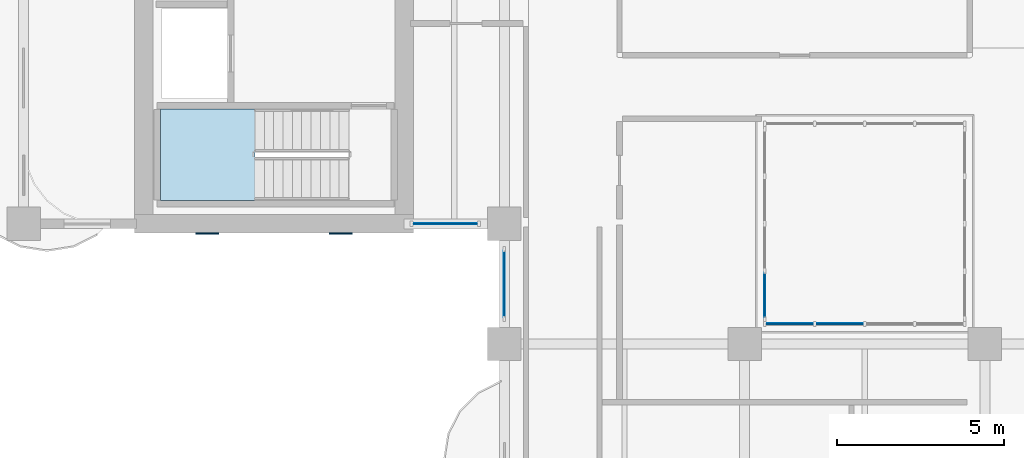
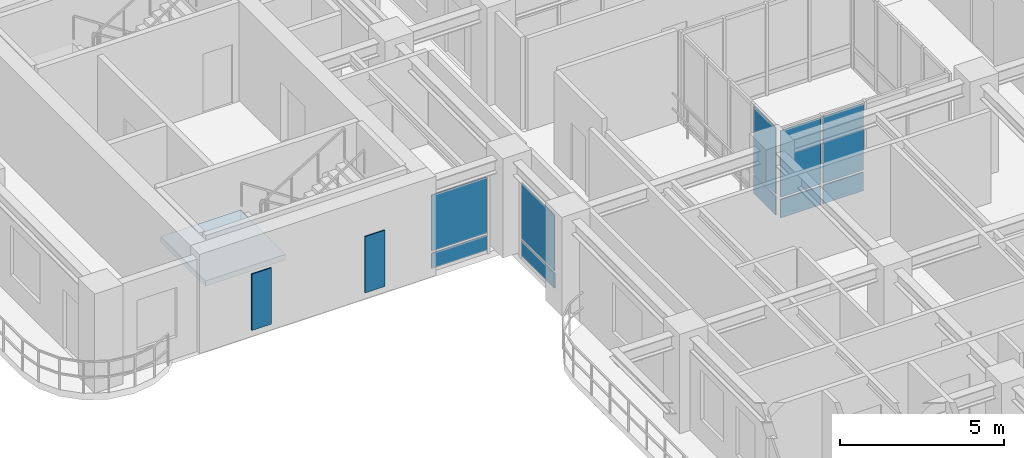
# One storey, part 8 of 19: 12 plates, 1 slab, 5 elements without a shape of their own.
"""IFC4 building model written with IfcOpenShell, lengths in metres."""

from ifc_helpers import new_model, si_unit, derived_unit, direction, frame, origin, origin_2d, place, context, subcontext, project, spatial, polyline, rectangle, outline, extrude, source, transform, mapped, material, layer, layer_set, type_object, type_shapes, element, aggregate, save


model = new_model("IFC4")

# Units and contexts
model_context = context("Model", 3, precision=1e-05, world=origin(), true_north=direction((0.0, 1.0)))
body_context = subcontext(model_context, "Body", "Model", "MODEL_VIEW")
ifc_project = project(units=[si_unit("LENGTHUNIT", "METRE"), si_unit("AREAUNIT", "SQUARE_METRE"), si_unit("VOLUMEUNIT", "CUBIC_METRE"), si_unit("PLANEANGLEUNIT", "RADIAN"), si_unit("MASSUNIT", "GRAM", prefix="KILO"), si_unit("THERMODYNAMICTEMPERATUREUNIT", "KELVIN"), si_unit("POWERUNIT", "WATT"), derived_unit("THERMALTRANSMITTANCEUNIT", [(si_unit("POWERUNIT", "WATT"), 1), (si_unit("AREAUNIT", "SQUARE_METRE"), -1), (si_unit("THERMODYNAMICTEMPERATUREUNIT", "KELVIN"), -1)])], contexts=[model_context])

# Site, building, storey
site_placement = place(None, origin())
site = spatial("IfcSite", under=ifc_project, at=site_placement, CompositionType="ELEMENT")
building_placement = place(site_placement, origin())
building = spatial("IfcBuilding", under=site, at=building_placement, Name="Zahravan Archway Hotel and Residences", CompositionType="ELEMENT")
storey_placement = place(building_placement, frame((0.0, 0.0, 134.0)))
storey = spatial("IfcBuildingStorey", under=building, at=storey_placement, Name="L33", CompositionType="ELEMENT", Elevation=134.0)

# Stair, slab
ifc_material_1 = material(Name="Concrete C50/60", Category="concrete")
stair_type = type_object("IfcStairType", Name="STR-CORE-1300", PredefinedType="HALF_TURN_STAIR", material=ifc_material_1)
stair_placement = place(storey_placement, origin())
stair = element("IfcStair", 1, at=stair_placement, inside=storey, type_object=stair_type, Name="L33 Core B Exit Stair 1", PredefinedType="HALF_TURN_STAIR")
ifc_layer_1 = layer(ifc_material_1, 0.199951171875, Name="Concrete C50/60", Category="concrete")
ifc_layer_set_1 = layer_set([ifc_layer_1], Name="Concrete C50/60")
slab_type = type_object("IfcSlabType", Name="SLB-LND-200", PredefinedType="LANDING", material=ifc_layer_set_1)
slab_placement = place(storey_placement, frame((0.0, 0.0, 1.64990234375)))
slab = element("IfcSlab", 2, at=slab_placement, type_object=slab_type, Name="ST-B1 landing 1", PredefinedType="LANDING", context=body_context, shape_type="SweptSolid", body=[
    extrude(outline(polyline([(6.929931640625, 28.639892578125), (4.10009765625, 28.639892578125), (4.10009765625, 25.89990234375), (6.929931640625, 25.89990234375), (6.929931640625, 28.639892578125)])), origin(), (0.0, 0.0, 1.0), 0.2001953125),
])
aggregate(stair, [slab])

# Plates
ifc_material_2 = material(Name="Perforated Cast Bronze Jali Lattice")
ifc_layer_2 = layer(ifc_material_2, 0.044921875, Name="Perforated Cast Bronze Jali Lattice")
ifc_layer_set_2 = layer_set([ifc_layer_2], Name="Perforated Cast Bronze Jali Lattice")
plate_type_1 = type_object("IfcPlateType", Name="PLT-JALI-BAY", PredefinedType="USERDEFINED", material=ifc_layer_set_2)
shared_shape_1 = source(origin(), body_context, "Body", "SweptSolid", [
    extrude(rectangle(XDim=0.699951171875, YDim=0.044921875, at=origin_2d()), origin(), (0.0, 0.0, 1.0), 2.10009765625),
])
type_shapes(plate_type_1, [shared_shape_1])
for number, where, z_axis, x_axis, name in (
    (3, (5.5, 24.906982421875, 0.25), (0.0, 0.0, 1.0), (1.0, 0.0, 0.0), "L33 Core B South Mughal Jali Screen 1"),
    (4, (9.5, 24.906982421875, 0.25), (0.0, 0.0, 1.0), (1.0, 0.0, 0.0), "L33 Core B South Mughal Jali Screen 2"),
):
    element("IfcPlate", number, at=place(storey_placement, frame(where, z_axis=z_axis, x_axis=x_axis)), inside=storey, type_object=plate_type_1, Name=name, ObjectType="SCREEN", PredefinedType="USERDEFINED", context=body_context, shape_type="MappedRepresentation", body=[
        mapped(shared_shape_1, transform((0.0, 0.0, 0.0), scale=1.0)),
    ])

# Curtain wall, plates
ifc_material_3 = material(Name="Bronze-Anodized Unitised Aluminium & Low-E Glass", Category="aluminium")
ifc_layer_3 = layer(ifc_material_3, 0.179931640625, Name="Bronze-Anodized Unitised Aluminium & Low-E Glass", Category="aluminium")
ifc_layer_set_3 = layer_set([ifc_layer_3], Name="Bronze-Anodized Unitised Aluminium & Low-E Glass")
curtain_wall_type = type_object("IfcCurtainWallType", Name="CW-ATR-GLAZ", PredefinedType="NOTDEFINED", material=ifc_layer_set_3)
curtain_wall_1_placement = place(storey_placement, origin())
curtain_wall_1 = element("IfcCurtainWall", 5, at=curtain_wall_1_placement, inside=storey, type_object=curtain_wall_type, Name="L33 Curtain Wall CW-ATR-L33-S-1", PredefinedType="NOTDEFINED")
ifc_material_4 = material(Name="Insulated Terracotta Spandrel Panel", Category="masonry")
ifc_layer_4 = layer(ifc_material_4, 0.0400390625, Name="Insulated Terracotta Spandrel Panel", Category="masonry")
ifc_layer_set_4 = layer_set([ifc_layer_4], Name="Insulated Terracotta Spandrel Panel")
plate_type_2 = type_object("IfcPlateType", Name="CWP-SPN-40", PredefinedType="SHEET", material=ifc_layer_set_4)
shared_shape_2 = source(origin(), body_context, "Body", "SweptSolid", [
    extrude(rectangle(XDim=1.419921875, YDim=0.0400390625, at=origin_2d()), origin(), (0.0, 0.0, 1.0), 0.68798828125),
])
plate_1_placement = place(storey_placement, frame((22.949951171875, 22.199951171875, 0.10009765625), z_axis=(0.0, 0.0, 1.0), x_axis=(1.0, 0.0, 0.0)))
plate_1 = element("IfcPlate", 6, at=plate_1_placement, type_object=plate_type_2, Name="CW-ATR-L33-S-1 Spandrel Panel 0", PredefinedType="SHEET", context=body_context, shape_type="MappedRepresentation", body=[
    mapped(shared_shape_2, transform((0.0, 0.0, 0.0), scale=1.0)),
])
plate_2_placement = place(storey_placement, frame((24.449951171875, 22.199951171875, 0.10009765625), z_axis=(0.0, 0.0, 1.0), x_axis=(1.0, 0.0, 0.0)))
plate_2 = element("IfcPlate", 7, at=plate_2_placement, type_object=plate_type_2, Name="CW-ATR-L33-S-1 Spandrel Panel 1", PredefinedType="SHEET", context=body_context, shape_type="MappedRepresentation", body=[
    mapped(shared_shape_2, transform((0.0, 0.0, 0.0), scale=1.0)),
])
ifc_material_5 = material(Name="Double-Silver Low-E Insulated Vision Glass", Category="glass")
ifc_layer_5 = layer(ifc_material_5, 0.028076171875, Name="Double-Silver Low-E Insulated Vision Glass", Category="glass")
ifc_layer_set_5 = layer_set([ifc_layer_5], Name="Double-Silver Low-E Insulated Vision Glass")
plate_type_3 = type_object("IfcPlateType", Name="CWP-GLZ-28", PredefinedType="CURTAIN_PANEL", material=ifc_layer_set_5)
shared_shape_3 = source(origin(), body_context, "Body", "SweptSolid", [
    extrude(rectangle(XDim=1.419921875, YDim=0.028076171875, at=origin_2d()), origin(), (0.0, 0.0, 1.0), 2.48193359375),
])
plate_3_placement = place(storey_placement, frame((22.949951171875, 22.199951171875, 0.867919921875), z_axis=(0.0, 0.0, 1.0), x_axis=(1.0, 0.0, 0.0)))
plate_3 = element("IfcPlate", 8, at=plate_3_placement, type_object=plate_type_3, Name="CW-ATR-L33-S-1 Low-E Vision Panel 0", PredefinedType="CURTAIN_PANEL", context=body_context, shape_type="MappedRepresentation", body=[
    mapped(shared_shape_3, transform((0.0, 0.0, 0.0), scale=1.0)),
])
plate_4_placement = place(storey_placement, frame((24.449951171875, 22.199951171875, 0.867919921875), z_axis=(0.0, 0.0, 1.0), x_axis=(1.0, 0.0, 0.0)))
plate_4 = element("IfcPlate", 9, at=plate_4_placement, type_object=plate_type_3, Name="CW-ATR-L33-S-1 Low-E Vision Panel 1", PredefinedType="CURTAIN_PANEL", context=body_context, shape_type="MappedRepresentation", body=[
    mapped(shared_shape_3, transform((0.0, 0.0, 0.0), scale=1.0)),
])
aggregate(curtain_wall_1, [plate_1, plate_3, plate_2, plate_4])

curtain_wall_2_placement = place(storey_placement, origin())
curtain_wall_2 = element("IfcCurtainWall", 10, at=curtain_wall_2_placement, inside=storey, type_object=curtain_wall_type, Name="L33 Curtain Wall CW-ATR-L33-W-1", PredefinedType="NOTDEFINED")
shared_shape_4 = source(origin(), body_context, "Body", "SweptSolid", [
    extrude(rectangle(XDim=1.344970703125, YDim=0.0400390625, at=origin_2d()), origin(), (0.0, 0.0, 1.0), 0.68798828125),
])
plate_5_placement = place(storey_placement, frame((22.199951171875, 23.0625, 0.10009765625), z_axis=(0.0, 0.0, 1.0), x_axis=(0.0, 1.0, 0.0)))
plate_5 = element("IfcPlate", 11, at=plate_5_placement, type_object=plate_type_2, Name="CW-ATR-L33-W-1 Spandrel Panel 0", PredefinedType="SHEET", context=body_context, shape_type="MappedRepresentation", body=[
    mapped(shared_shape_4, transform((0.0, 0.0, 0.0), scale=1.0)),
])
shared_shape_5 = source(origin(), body_context, "Body", "SweptSolid", [
    extrude(rectangle(XDim=1.344970703125, YDim=0.028076171875, at=origin_2d()), origin(), (0.0, 0.0, 1.0), 2.48193359375),
])
plate_6_placement = place(storey_placement, frame((22.199951171875, 23.0625, 0.867919921875), z_axis=(0.0, 0.0, 1.0), x_axis=(0.0, 1.0, 0.0)))
plate_6 = element("IfcPlate", 12, at=plate_6_placement, type_object=plate_type_3, Name="CW-ATR-L33-W-1 Low-E Vision Panel 0", PredefinedType="CURTAIN_PANEL", context=body_context, shape_type="MappedRepresentation", body=[
    mapped(shared_shape_5, transform((0.0, 0.0, 0.0), scale=1.0)),
])
aggregate(curtain_wall_2, [plate_5, plate_6])

curtain_wall_3_placement = place(storey_placement, origin())
curtain_wall_3 = element("IfcCurtainWall", 13, at=curtain_wall_3_placement, inside=storey, type_object=curtain_wall_type, Name="L33 Curtain Wall CW-L33-WA-WLU-1", PredefinedType="NOTDEFINED")
shared_shape_6 = source(origin(), body_context, "Body", "SweptSolid", [
    extrude(rectangle(XDim=2.0, YDim=0.0400390625, at=origin_2d()), origin(), (0.0, 0.0, 1.0), 0.564453125),
])
plate_7_placement = place(storey_placement, frame((14.39990234375, 23.39990234375, 0.099853515625), z_axis=(0.0, 0.0, 1.0), x_axis=(0.0, 1.0, 0.0)))
plate_7 = element("IfcPlate", 14, at=plate_7_placement, type_object=plate_type_2, Name="CW-L33-WA-WLU-1 Spandrel Panel 0", PredefinedType="SHEET", context=body_context, shape_type="MappedRepresentation", body=[
    mapped(shared_shape_6, transform((0.0, 0.0, 0.0), scale=1.0)),
])
shared_shape_7 = source(origin(), body_context, "Body", "SweptSolid", [
    extrude(rectangle(XDim=2.0, YDim=0.028076171875, at=origin_2d()), origin(), (0.0, 0.0, 1.0), 2.090576171875),
])
plate_8_placement = place(storey_placement, frame((14.39990234375, 23.39990234375, 0.74462890625), z_axis=(0.0, 0.0, 1.0), x_axis=(0.0, 1.0, 0.0)))
plate_8 = element("IfcPlate", 15, at=plate_8_placement, type_object=plate_type_3, Name="CW-L33-WA-WLU-1 Low-E Vision Panel 0", PredefinedType="CURTAIN_PANEL", context=body_context, shape_type="MappedRepresentation", body=[
    mapped(shared_shape_7, transform((0.0, 0.0, 0.0), scale=1.0)),
])
aggregate(curtain_wall_3, [plate_7, plate_8])

curtain_wall_4_placement = place(storey_placement, origin())
curtain_wall_4 = element("IfcCurtainWall", 16, at=curtain_wall_4_placement, inside=storey, type_object=curtain_wall_type, Name="L33 Curtain Wall CW-L33-WB-SE-1", PredefinedType="NOTDEFINED")
shared_shape_8 = source(origin(), body_context, "Body", "SweptSolid", [
    extrude(rectangle(XDim=1.93994140625, YDim=0.0400390625, at=origin_2d()), origin(), (0.0, 0.0, 1.0), 0.564453125),
])
plate_9_placement = place(storey_placement, frame((12.6298828125, 25.199951171875, 0.099853515625), z_axis=(0.0, 0.0, 1.0), x_axis=(1.0, 0.0, 0.0)))
plate_9 = element("IfcPlate", 17, at=plate_9_placement, type_object=plate_type_2, Name="CW-L33-WB-SE-1 Spandrel Panel 0", PredefinedType="SHEET", context=body_context, shape_type="MappedRepresentation", body=[
    mapped(shared_shape_8, transform((0.0, 0.0, 0.0), scale=1.0)),
])
shared_shape_9 = source(origin(), body_context, "Body", "SweptSolid", [
    extrude(rectangle(XDim=1.93994140625, YDim=0.028076171875, at=origin_2d()), origin(), (0.0, 0.0, 1.0), 2.090576171875),
])
plate_10_placement = place(storey_placement, frame((12.6298828125, 25.199951171875, 0.74462890625), z_axis=(0.0, 0.0, 1.0), x_axis=(1.0, 0.0, 0.0)))
plate_10 = element("IfcPlate", 18, at=plate_10_placement, type_object=plate_type_3, Name="CW-L33-WB-SE-1 Low-E Vision Panel 0", PredefinedType="CURTAIN_PANEL", context=body_context, shape_type="MappedRepresentation", body=[
    mapped(shared_shape_9, transform((0.0, 0.0, 0.0), scale=1.0)),
])
aggregate(curtain_wall_4, [plate_9, plate_10])

save(model, "model.ifc")
